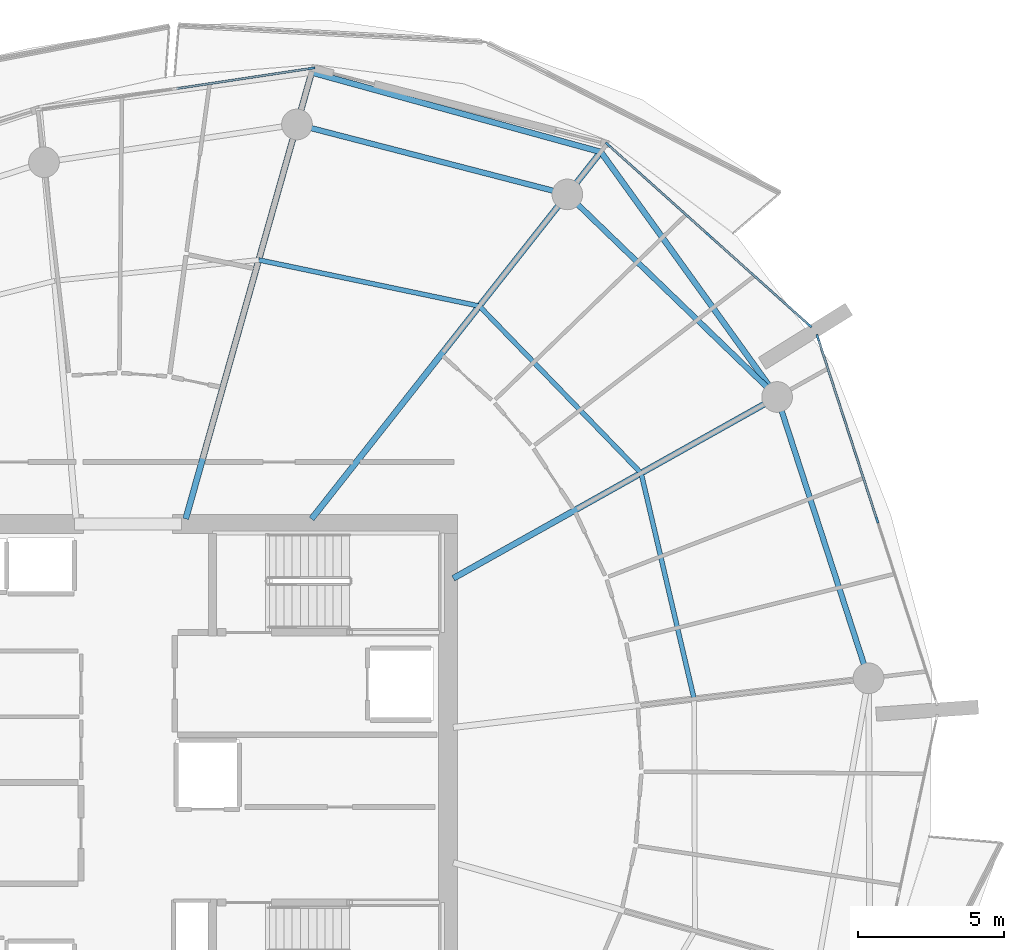
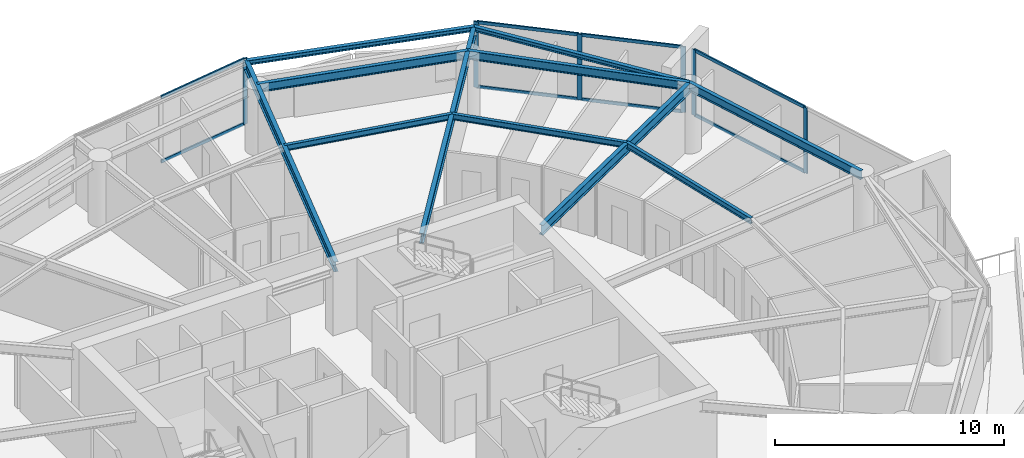
# One storey, part 9 of 21: 14 members, 11 beams, 3 elements without a shape of their own.
"""IFC4 building model written with IfcOpenShell, lengths in metres."""

from ifc_helpers import new_model, si_unit, direction, frame, origin, origin_2d, place, context, subcontext, project, spatial, rectangle, i_section, extrude, material, layer, layer_set, material_profile, profile_set, type_object, element, aggregate, save


model = new_model("IFC4")

# Units and contexts
model_context = context("Model", 3, precision=1e-05, world=origin(), true_north=direction((0.0, 1.0)))
body_context = subcontext(model_context, "Body", "Model", "MODEL_VIEW")
ifc_project = project(units=[si_unit("LENGTHUNIT", "METRE"), si_unit("AREAUNIT", "SQUARE_METRE"), si_unit("VOLUMEUNIT", "CUBIC_METRE"), si_unit("PLANEANGLEUNIT", "RADIAN"), si_unit("MASSUNIT", "GRAM", prefix="KILO")], contexts=[model_context])

# Site, building, storey
site_placement = place(None, origin())
site = spatial("IfcSite", under=ifc_project, at=site_placement, CompositionType="ELEMENT")
building_placement = place(site_placement, origin())
building = spatial("IfcBuilding", under=site, at=building_placement, Name="Kazma Halo Residences", CompositionType="ELEMENT")
storey_placement = place(building_placement, frame((0.0, 0.0, 176.550048828125)))
storey = spatial("IfcBuildingStorey", under=building, at=storey_placement, Name="L44", CompositionType="ELEMENT", Elevation=176.550048828125)

# Beams
ifc_material_1 = material(Name="Steel S355", Category="steel")
ifc_material_profile_1 = material_profile(ifc_material_1, i_section(OverallWidth=0.201904296875, OverallDepth=0.2470703125, WebThickness=0.00732421875, FlangeThickness=0.010986328125, FilletRadius=0.011962890625, at=origin_2d()), Name="W250x49.1")
ifc_profile_set_1 = profile_set([ifc_material_profile_1], Name="Steel S355")
beam_type_1 = type_object("IfcBeamType", Name="BM-BAL-CANT", PredefinedType="BEAM", material=ifc_profile_set_1)
beam_1_placement = place(storey_placement, frame((70.625, 54.670654296875, 3.37646484375), z_axis=(-0.583963922576, 0.811779611181, 0.0), x_axis=(-0.811779611181, -0.583963922576, 0.0)))
element("IfcBeam", 1, at=beam_1_placement, inside=storey, type_object=beam_type_1, Name="L44 wave-balcony lead tie beam 01", PredefinedType="BEAM", context=body_context, shape_type="SweptSolid", body=[
    extrude(i_section(OverallWidth=0.201904296875, OverallDepth=0.2470703125, WebThickness=0.00732421875, FlangeThickness=0.010986328125, FilletRadius=0.011962890625, at=origin_2d()), origin(), (0.0, 0.0, 1.0), 10.324462890625),
])
beam_2_placement = place(storey_placement, frame((64.595947265625, 63.0517578125, 3.37646484375), z_axis=(-0.964197026197, 0.265186905169, 0.0), x_axis=(-0.265186905169, -0.964197026197, 0.0)))
element("IfcBeam", 2, at=beam_2_placement, inside=storey, type_object=beam_type_1, Name="L44 wave-balcony tie beam 02", PredefinedType="BEAM", context=body_context, shape_type="SweptSolid", body=[
    extrude(i_section(OverallWidth=0.201904296875, OverallDepth=0.2470703125, WebThickness=0.00732421875, FlangeThickness=0.010986328125, FilletRadius=0.011962890625, at=origin_2d()), origin(), (0.0, 0.0, 1.0), 10.258544921875),
])
ifc_material_profile_2 = material_profile(ifc_material_1, i_section(OverallWidth=0.208984375, OverallDepth=0.532958984375, WebThickness=0.01025390625, FlangeThickness=0.015625, FilletRadius=0.01611328125, at=origin_2d()), Name="W530x92")
ifc_profile_set_2 = profile_set([ifc_material_profile_2], Name="Steel S355")
beam_type_2 = type_object("IfcBeamType", Name="BM-RAD-W530", PredefinedType="BEAM", material=ifc_profile_set_2)
beam_3_placement = place(storey_placement, frame((59.550048828125, 48.46826171875, 3.2333984375), z_axis=(0.872491912539, 0.488628552742, 0.0), x_axis=(-0.488628552742, 0.872491912539, 0.0)))
element("IfcBeam", 3, at=beam_3_placement, inside=storey, type_object=beam_type_2, Name="L44 radial floor beam 01", PredefinedType="BEAM", context=body_context, shape_type="SweptSolid", body=[
    extrude(i_section(OverallWidth=0.208984375, OverallDepth=0.532958984375, WebThickness=0.01025390625, FlangeThickness=0.015625, FilletRadius=0.01611328125, at=origin_2d()), origin(), (0.0, 0.0, 1.0), 12.693359375),
])
beam_4_placement = place(storey_placement, frame((54.700927734375, 50.5, 3.2333984375), z_axis=(0.61909439419, 0.785316580165, 0.0), x_axis=(-0.785316580165, 0.61909439419, 0.0)))
element("IfcBeam", 4, at=beam_4_placement, inside=storey, type_object=beam_type_2, Name="L44 radial floor beam 02", PredefinedType="BEAM", context=body_context, shape_type="SweptSolid", body=[
    extrude(i_section(OverallWidth=0.208984375, OverallDepth=0.532958984375, WebThickness=0.01025390625, FlangeThickness=0.015625, FilletRadius=0.01611328125, at=origin_2d()), origin(), (0.0, 0.0, 1.0), 15.983154296875),
])
beam_5_placement = place(storey_placement, frame((50.397216796875, 50.5, 3.2333984375), z_axis=(0.271449932859, 0.962452561922, 0.0), x_axis=(-0.962452561922, 0.271449932859, 0.0)))
element("IfcBeam", 5, at=beam_5_placement, inside=storey, type_object=beam_type_2, Name="L44 radial floor beam 03", PredefinedType="BEAM", context=body_context, shape_type="SweptSolid", body=[
    extrude(i_section(OverallWidth=0.208984375, OverallDepth=0.532958984375, WebThickness=0.01025390625, FlangeThickness=0.015625, FilletRadius=0.01611328125, at=origin_2d()), origin(), (0.0, 0.0, 1.0), 15.867919921875),
])
ifc_material_profile_3 = material_profile(ifc_material_1, i_section(OverallWidth=0.1650390625, OverallDepth=0.31005859375, WebThickness=0.005859375, FlangeThickness=0.009765625, FilletRadius=0.011962890625, at=origin_2d()), Name="W310x38.7")
ifc_profile_set_3 = profile_set([ifc_material_profile_3], Name="Steel S355")
beam_type_3 = type_object("IfcBeamType", Name="BM-SEC-W310B", PredefinedType="JOIST", material=ifc_profile_set_3)
beam_6_placement = place(storey_placement, frame((65.9736328125, 52.065673828125, 3.344970703125), z_axis=(-0.695659633946, 0.718371542934, 0.0), x_axis=(-0.718371542934, -0.695659633946, 0.0)))
element("IfcBeam", 6, at=beam_6_placement, inside=storey, type_object=beam_type_3, Name="L44 circumferential floor joist 01", PredefinedType="JOIST", context=body_context, shape_type="SweptSolid", body=[
    extrude(i_section(OverallWidth=0.1650390625, OverallDepth=0.31005859375, WebThickness=0.005859375, FlangeThickness=0.009765625, FilletRadius=0.011962890625, at=origin_2d()), origin(), (0.0, 0.0, 1.0), 7.95458984375),
])
beam_7_placement = place(storey_placement, frame((60.43994140625, 57.780029296875, 3.344970703125), z_axis=(-0.978821484976, 0.204715657802, 0.0), x_axis=(-0.204715657802, -0.978821484976, 0.0)))
element("IfcBeam", 7, at=beam_7_placement, inside=storey, type_object=beam_type_3, Name="L44 circumferential floor joist 02", PredefinedType="JOIST", context=body_context, shape_type="SweptSolid", body=[
    extrude(i_section(OverallWidth=0.1650390625, OverallDepth=0.31005859375, WebThickness=0.005859375, FlangeThickness=0.009765625, FilletRadius=0.011962890625, at=origin_2d()), origin(), (0.0, 0.0, 1.0), 7.707763671875),
])
beam_8_placement = place(storey_placement, frame((67.787109375, 44.341796875, 3.344970703125), z_axis=(-0.228572787048, 0.973526826041, 0.0), x_axis=(-0.973526826041, -0.228572787048, 0.0)))
element("IfcBeam", 8, at=beam_8_placement, inside=storey, type_object=beam_type_3, Name="L44 circumferential floor joist 16", PredefinedType="JOIST", context=body_context, shape_type="SweptSolid", body=[
    extrude(i_section(OverallWidth=0.1650390625, OverallDepth=0.31005859375, WebThickness=0.005859375, FlangeThickness=0.009765625, FilletRadius=0.011962890625, at=origin_2d()), origin(), (0.0, 0.0, 1.0), 7.933837890625),
])
ifc_material_profile_4 = material_profile(ifc_material_1, i_section(OverallWidth=0.18994140625, OverallDepth=0.45703125, WebThickness=0.009033203125, FlangeThickness=0.014404296875, FilletRadius=0.01611328125, at=origin_2d()), Name="W460x74")
ifc_profile_set_4 = profile_set([ifc_material_profile_4], Name="Steel S355")
beam_type_4 = type_object("IfcBeamType", Name="BM-SPN-W460", PredefinedType="BEAM", material=ifc_profile_set_4)
beam_9_placement = place(storey_placement, frame((70.625, 54.670654296875, 3.271484375), z_axis=(-0.71933650181, 0.694661786169, 0.0), x_axis=(-0.694661786169, -0.71933650181, 0.0)))
element("IfcBeam", 9, at=beam_9_placement, inside=storey, type_object=beam_type_4, Name="L44 perimeter ring beam 01", PredefinedType="BEAM", context=body_context, shape_type="SweptSolid", body=[
    extrude(i_section(OverallWidth=0.18994140625, OverallDepth=0.45703125, WebThickness=0.009033203125, FlangeThickness=0.014404296875, FilletRadius=0.01611328125, at=origin_2d()), origin(), (0.0, 0.0, 1.0), 9.9736328125),
])
beam_10_placement = place(storey_placement, frame((63.45068359375, 61.598876953125, 3.271484375), z_axis=(-0.968120950739, 0.25048318255, 0.0), x_axis=(-0.25048318255, -0.968120950739, 0.0)))
element("IfcBeam", 10, at=beam_10_placement, inside=storey, type_object=beam_type_4, Name="L44 perimeter ring beam 02", PredefinedType="BEAM", context=body_context, shape_type="SweptSolid", body=[
    extrude(i_section(OverallWidth=0.18994140625, OverallDepth=0.45703125, WebThickness=0.009033203125, FlangeThickness=0.014404296875, FilletRadius=0.01611328125, at=origin_2d()), origin(), (0.0, 0.0, 1.0), 9.552734375),
])
beam_11_placement = place(storey_placement, frame((73.751708984375, 45.0478515625, 3.271484375), z_axis=(-0.309023327426, 0.951054458539, 0.0), x_axis=(-0.951054458539, -0.309023327426, 0.0)))
element("IfcBeam", 11, at=beam_11_placement, inside=storey, type_object=beam_type_4, Name="L44 perimeter ring beam 16", PredefinedType="BEAM", context=body_context, shape_type="SweptSolid", body=[
    extrude(i_section(OverallWidth=0.18994140625, OverallDepth=0.45703125, WebThickness=0.009033203125, FlangeThickness=0.014404296875, FilletRadius=0.01611328125, at=origin_2d()), origin(), (0.0, 0.0, 1.0), 10.117919921875),
])

# Curtain wall, members
ifc_material_2 = material(Name="Aluminium AW-6063 T6 and Triple-Silver Low-E Glass", Category="aluminium")
ifc_layer = layer(ifc_material_2, 0.219970703125)
ifc_layer_set = layer_set([ifc_layer], Name="Aluminium AW-6063 T6 and Triple-Silver Low-E Glass")
curtain_wall_type = type_object("IfcCurtainWallType", Name="CW-SYS-4", PredefinedType="NOTDEFINED", material=ifc_layer_set)
curtain_wall_1_placement = place(storey_placement, origin())
curtain_wall_1 = element("IfcCurtainWall", 12, at=curtain_wall_1_placement, inside=storey, type_object=curtain_wall_type, Name="L44 unitised curtain wall B01", PredefinedType="NOTDEFINED")
ifc_material_3 = material(Name="Aluminium AW-6063 T6", Category="aluminium")
ifc_material_profile_5 = material_profile(ifc_material_3, rectangle(XDim=0.074951171875, YDim=0.219970703125, at=origin_2d()), Name="CWM-75x220")
ifc_profile_set_5 = profile_set([ifc_material_profile_5], Name="Aluminium AW-6063 T6")
member_type_1 = type_object("IfcMemberType", Name="CW-SYS-4-MUL", PredefinedType="MULLION", material=ifc_profile_set_5)
member_1_placement = place(storey_placement, frame((71.7216796875, 57.126220703125, 0.0), z_axis=(0.0, 0.0, 1.0), x_axis=(-0.667784328806, -0.744354814723, 0.0)))
member_1 = element("IfcMember", 13, at=member_1_placement, type_object=member_type_1, Name="CWS-4 mullion 1", PredefinedType="MULLION", context=body_context, shape_type="SweptSolid", body=[
    extrude(rectangle(XDim=0.074951171875, YDim=0.219970703125, at=origin_2d()), origin(), (0.0, 0.0, 1.0), 3.5),
])
member_2_placement = place(storey_placement, frame((68.280517578125, 60.213134765625, 0.0), z_axis=(0.0, 0.0, 1.0), x_axis=(-0.667784328806, -0.744354814723, 0.0)))
member_2 = element("IfcMember", 14, at=member_2_placement, type_object=member_type_1, Name="CWS-4 mullion 2", PredefinedType="MULLION", context=body_context, shape_type="SweptSolid", body=[
    extrude(rectangle(XDim=0.074951171875, YDim=0.219970703125, at=origin_2d()), origin(), (0.0, 0.0, 1.0), 3.5),
])
member_3_placement = place(storey_placement, frame((64.839599609375, 63.30029296875, 0.0), z_axis=(0.0, 0.0, 1.0), x_axis=(-0.667784328806, -0.744354814723, 0.0)))
member_3 = element("IfcMember", 15, at=member_3_placement, type_object=member_type_1, Name="CWS-4 mullion 3", PredefinedType="MULLION", context=body_context, shape_type="SweptSolid", body=[
    extrude(rectangle(XDim=0.074951171875, YDim=0.219970703125, at=origin_2d()), origin(), (0.0, 0.0, 1.0), 3.5),
])

# Curtain wall, member
curtain_wall_2_placement = place(storey_placement, origin())
curtain_wall_2 = element("IfcCurtainWall", 16, at=curtain_wall_2_placement, inside=storey, type_object=curtain_wall_type, Name="L44 unitised curtain wall B03", PredefinedType="NOTDEFINED")
member_4_placement = place(storey_placement, frame((54.708740234375, 65.913330078125, 0.0), z_axis=(0.0, 0.0, 1.0), x_axis=(0.148772639188, -0.988871428361, 0.0)))
member_4 = element("IfcMember", 17, at=member_4_placement, type_object=member_type_1, Name="CWS-4 mullion 1", PredefinedType="MULLION", context=body_context, shape_type="SweptSolid", body=[
    extrude(rectangle(XDim=0.074951171875, YDim=0.219970703125, at=origin_2d()), origin(), (0.0, 0.0, 1.0), 3.5),
])

# Curtain wall, members
curtain_wall_3_placement = place(storey_placement, origin())
curtain_wall_3 = element("IfcCurtainWall", 18, at=curtain_wall_3_placement, inside=storey, type_object=curtain_wall_type, Name="L44 unitised curtain wall B16", PredefinedType="NOTDEFINED")
member_5_placement = place(storey_placement, frame((74.04345703125, 50.4619140625, 0.0), z_axis=(0.0, 0.0, 1.0), x_axis=(-0.951056893636, -0.309015833038, 0.0)))
member_5 = element("IfcMember", 19, at=member_5_placement, type_object=member_type_1, Name="CWS-4 mullion 2", PredefinedType="MULLION", context=body_context, shape_type="SweptSolid", body=[
    extrude(rectangle(XDim=0.074951171875, YDim=0.219970703125, at=origin_2d()), origin(), (0.0, 0.0, 1.0), 3.5),
])
member_6_placement = place(storey_placement, frame((72.015625, 56.702880859375, 0.0), z_axis=(0.0, 0.0, 1.0), x_axis=(-0.951056893636, -0.309015833038, 0.0)))
member_6 = element("IfcMember", 20, at=member_6_placement, type_object=member_type_1, Name="CWS-4 mullion 3", PredefinedType="MULLION", context=body_context, shape_type="SweptSolid", body=[
    extrude(rectangle(XDim=0.074951171875, YDim=0.219970703125, at=origin_2d()), origin(), (0.0, 0.0, 1.0), 3.5),
])

# Member
ifc_material_profile_6 = material_profile(ifc_material_3, rectangle(XDim=0.074951171875, YDim=0.1650390625, at=origin_2d()), Name="CWT-75x165")
ifc_profile_set_6 = profile_set([ifc_material_profile_6], Name="Aluminium AW-6063 T6")
member_type_2 = type_object("IfcMemberType", Name="CW-SYS-4-TRN", PredefinedType="USERDEFINED", material=ifc_profile_set_6)
member_7_placement = place(storey_placement, frame((71.69384765625, 57.151123046875, 0.037353515625), z_axis=(-0.744344906673, 0.667795372783, 0.0), x_axis=(-0.667795372783, -0.744344906673, 0.0)))
member_7 = element("IfcMember", 21, at=member_7_placement, type_object=member_type_2, Name="CWS-4 transom 1.1", ObjectType="TRANSOM", PredefinedType="USERDEFINED", context=body_context, shape_type="SweptSolid", body=[
    extrude(rectangle(XDim=0.074951171875, YDim=0.1650390625, at=origin_2d()), origin(), (0.0, 0.0, 1.0), 4.5478515625),
])

member_8_placement = place(storey_placement, frame((71.69384765625, 57.151123046875, 3.46240234375), z_axis=(-0.744344906673, 0.667795372783, 0.0), x_axis=(-0.667795372783, -0.744344906673, 0.0)))
member_8 = element("IfcMember", 22, at=member_8_placement, type_object=member_type_2, Name="CWS-4 transom 1.2", ObjectType="TRANSOM", PredefinedType="USERDEFINED", context=body_context, shape_type="SweptSolid", body=[
    extrude(rectangle(XDim=0.074951171875, YDim=0.1650390625, at=origin_2d()), origin(), (0.0, 0.0, 1.0), 4.5478515625),
])

member_9_placement = place(storey_placement, frame((68.252685546875, 60.23828125, 0.037353515625), z_axis=(-0.744344906673, 0.667795372783, 0.0), x_axis=(-0.667795372783, -0.744344906673, 0.0)))
member_9 = element("IfcMember", 23, at=member_9_placement, type_object=member_type_2, Name="CWS-4 transom 2.1", ObjectType="TRANSOM", PredefinedType="USERDEFINED", context=body_context, shape_type="SweptSolid", body=[
    extrude(rectangle(XDim=0.074951171875, YDim=0.1650390625, at=origin_2d()), origin(), (0.0, 0.0, 1.0), 4.5478515625),
])

member_10_placement = place(storey_placement, frame((68.252685546875, 60.23828125, 3.46240234375), z_axis=(-0.744344906673, 0.667795372783, 0.0), x_axis=(-0.667795372783, -0.744344906673, 0.0)))
member_10 = element("IfcMember", 24, at=member_10_placement, type_object=member_type_2, Name="CWS-4 transom 2.2", ObjectType="TRANSOM", PredefinedType="USERDEFINED", context=body_context, shape_type="SweptSolid", body=[
    extrude(rectangle(XDim=0.074951171875, YDim=0.1650390625, at=origin_2d()), origin(), (0.0, 0.0, 1.0), 4.5478515625),
])

aggregate(curtain_wall_1, [member_1, member_2, member_3, member_7, member_8, member_9, member_10])

member_11_placement = place(storey_placement, frame((54.671630859375, 65.907958984375, 0.037353515625), z_axis=(-0.988867623216, -0.148797929272, 0.0), x_axis=(0.148797929272, -0.988867623216, 0.0)))
member_11 = element("IfcMember", 25, at=member_11_placement, type_object=member_type_2, Name="CWS-4 transom 1.1", ObjectType="TRANSOM", PredefinedType="USERDEFINED", context=body_context, shape_type="SweptSolid", body=[
    extrude(rectangle(XDim=0.074951171875, YDim=0.1650390625, at=origin_2d()), origin(), (0.0, 0.0, 1.0), 4.64501953125),
])

member_12_placement = place(storey_placement, frame((54.671630859375, 65.907958984375, 3.46240234375), z_axis=(-0.988867623216, -0.148797929272, 0.0), x_axis=(0.148797929272, -0.988867623216, 0.0)))
member_12 = element("IfcMember", 26, at=member_12_placement, type_object=member_type_2, Name="CWS-4 transom 1.2", ObjectType="TRANSOM", PredefinedType="USERDEFINED", context=body_context, shape_type="SweptSolid", body=[
    extrude(rectangle(XDim=0.074951171875, YDim=0.1650390625, at=origin_2d()), origin(), (0.0, 0.0, 1.0), 4.64501953125),
])

aggregate(curtain_wall_2, [member_4, member_11, member_12])

member_13_placement = place(storey_placement, frame((74.031982421875, 50.49755859375, 0.037353515625), z_axis=(-0.309015440644, 0.951057021132, 0.0), x_axis=(-0.951057021132, -0.309015440644, 0.0)))
member_13 = element("IfcMember", 27, at=member_13_placement, type_object=member_type_2, Name="CWS-4 transom 2.1", ObjectType="TRANSOM", PredefinedType="USERDEFINED", context=body_context, shape_type="SweptSolid", body=[
    extrude(rectangle(XDim=0.074951171875, YDim=0.1650390625, at=origin_2d()), origin(), (0.0, 0.0, 1.0), 6.487060546875),
])

member_14_placement = place(storey_placement, frame((74.031982421875, 50.49755859375, 3.46240234375), z_axis=(-0.309015440644, 0.951057021132, 0.0), x_axis=(-0.951057021132, -0.309015440644, 0.0)))
member_14 = element("IfcMember", 28, at=member_14_placement, type_object=member_type_2, Name="CWS-4 transom 2.2", ObjectType="TRANSOM", PredefinedType="USERDEFINED", context=body_context, shape_type="SweptSolid", body=[
    extrude(rectangle(XDim=0.074951171875, YDim=0.1650390625, at=origin_2d()), origin(), (0.0, 0.0, 1.0), 6.487060546875),
])

aggregate(curtain_wall_3, [member_5, member_6, member_13, member_14])

save(model, "model.ifc")
